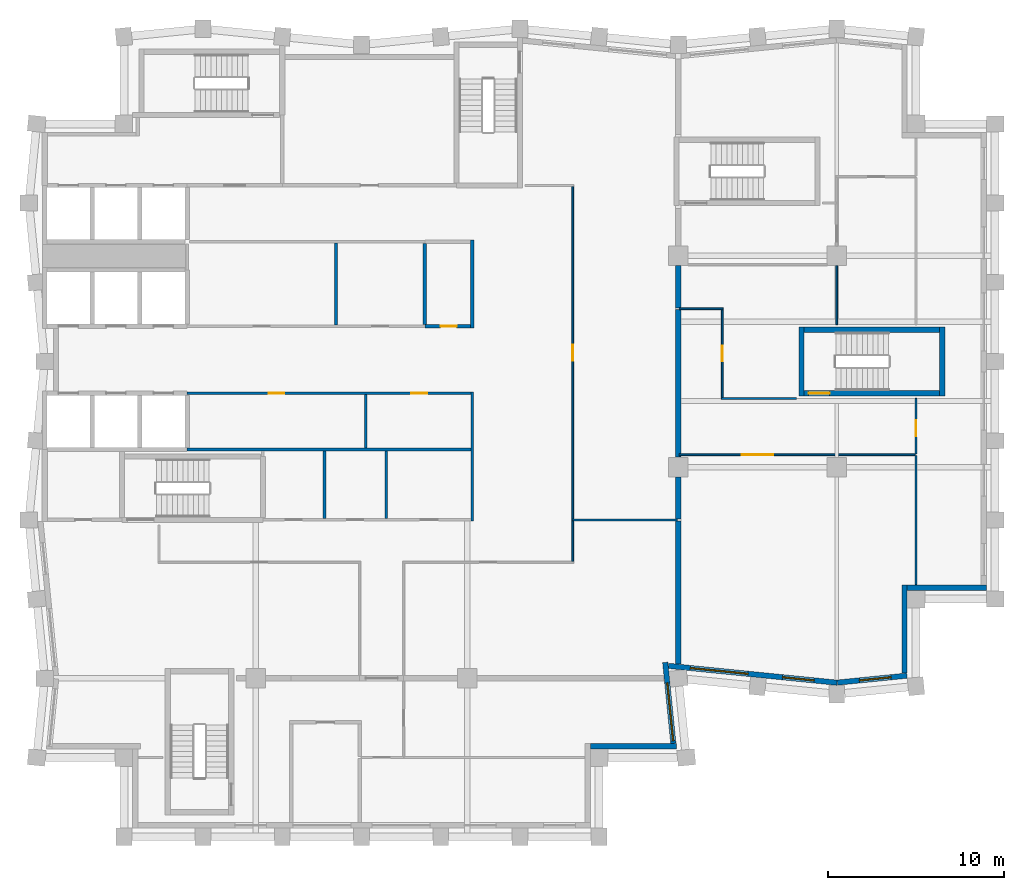
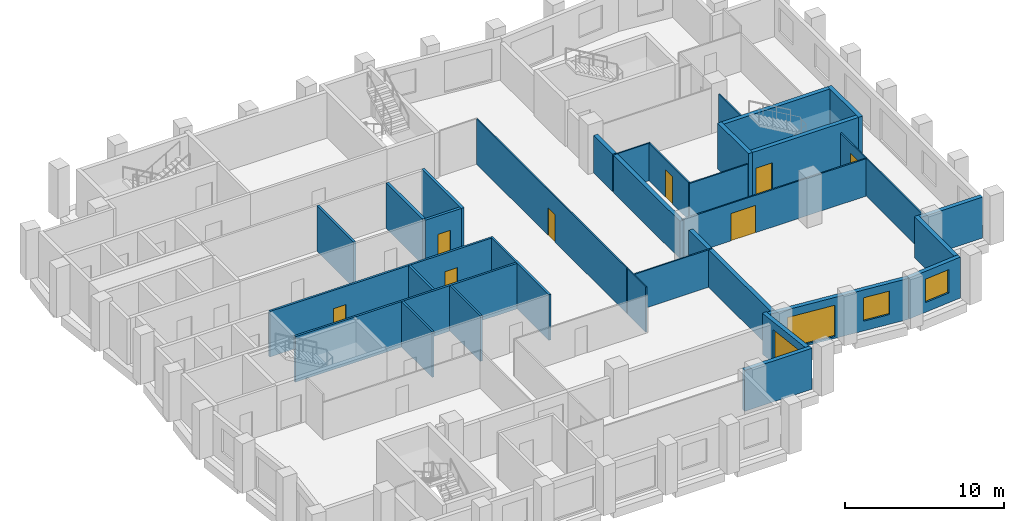
# One storey, part 4 of 8: 34 walls, 8 doors, 4 windows, 12 openings.
"""IFC4 building model written with IfcOpenShell, lengths in metres."""

from ifc_helpers import new_model, si_unit, direction, frame, frame_2d, origin, place, context, subcontext, project, spatial, rectangle, extrude, material, layer, layer_set, type_object, element, fill, save


model = new_model("IFC4")

# Units and contexts
model_context = context("Model", 3, precision=1e-05, world=origin(), true_north=direction((0.0, 1.0)))
body_context = subcontext(model_context, "Body", "Model", "MODEL_VIEW")
ifc_project = project(units=[si_unit("LENGTHUNIT", "METRE"), si_unit("AREAUNIT", "SQUARE_METRE"), si_unit("VOLUMEUNIT", "CUBIC_METRE"), si_unit("PLANEANGLEUNIT", "RADIAN"), si_unit("MASSUNIT", "GRAM", prefix="KILO")], contexts=[model_context])

# Site, building, storey
site_placement = place(None, origin())
site = spatial("IfcSite", under=ifc_project, at=site_placement, CompositionType="ELEMENT")
building_placement = place(site_placement, origin())
building = spatial("IfcBuilding", under=site, at=building_placement, Name="Brondeck Convention Tower", CompositionType="ELEMENT")
storey_placement = place(building_placement, frame((0.0, 0.0, 236.800048828125)))
storey = spatial("IfcBuildingStorey", under=building, at=storey_placement, Name="L58", CompositionType="ELEMENT", Elevation=236.800048828125)

# Walls
ifc_material_1 = material(Name="Concrete compartment wall C30/37", Category="concrete")
ifc_layer_1 = layer(ifc_material_1, 0.300048828125)
ifc_layer_set_1 = layer_set([ifc_layer_1], Name="Compartment wall 300")
wall_type_1 = type_object("IfcWallType", Name="Compartment wall 300", PredefinedType="PARTITIONING", material=ifc_layer_set_1)
wall_1_placement = place(storey_placement, frame((36.0, 27.823974609375, 0.0), z_axis=(0.0, 0.0, 1.0), x_axis=(0.0, 1.0, 0.0)))
element("IfcWall", 1, at=wall_1_placement, inside=storey, type_object=wall_type_1, Name="FLR-L58-W021", PredefinedType="PARTITIONING", context=body_context, shape_type="SweptSolid", body=[
    extrude(rectangle(XDim=8.12109375, YDim=0.300048828125, at=frame_2d((4.060546875, 0.0))), origin(), (0.0, 0.0, 1.0), 2.8798828125),
])
wall_2_placement = place(storey_placement, frame((36.0, 36.044921875, 0.0), z_axis=(0.0, 0.0, 1.0), x_axis=(0.0, 1.0, 0.0)))
element("IfcWall", 2, at=wall_2_placement, inside=storey, type_object=wall_type_1, Name="FLR-L58-W030", PredefinedType="PARTITIONING", context=body_context, shape_type="SweptSolid", body=[
    extrude(rectangle(XDim=2.400146484375, YDim=0.300048828125, at=frame_2d((1.2001953125, 0.0))), origin(), (0.0, 0.0, 1.0), 2.8798828125),
])
wall_3_placement = place(storey_placement, frame((36.0, 39.570068359375, 0.0), z_axis=(0.0, 0.0, 1.0), x_axis=(0.0, 1.0, 0.0)))
element("IfcWall", 3, at=wall_3_placement, inside=storey, type_object=wall_type_1, Name="FLR-L58-W032", PredefinedType="PARTITIONING", context=body_context, shape_type="SweptSolid", body=[
    extrude(rectangle(XDim=8.3798828125, YDim=0.300048828125, at=frame_2d((4.18994140625, 0.0))), origin(), (0.0, 0.0, 1.0), 2.8798828125),
])
wall_4_placement = place(storey_placement, frame((36.0, 48.050048828125, 0.0), z_axis=(0.0, 0.0, 1.0), x_axis=(0.0, 1.0, 0.0)))
element("IfcWall", 4, at=wall_4_placement, inside=storey, type_object=wall_type_1, Name="FLR-L58-W038", PredefinedType="PARTITIONING", context=body_context, shape_type="SweptSolid", body=[
    extrude(rectangle(XDim=2.39501953125, YDim=0.300048828125, at=frame_2d((1.197509765625, 0.0))), origin(), (0.0, 0.0, 1.0), 2.8798828125),
])
ifc_material_2 = material(Name="Concrete C50/60", Category="concrete")
ifc_layer_2 = layer(ifc_material_2, 0.199951171875)
ifc_layer_set_2 = layer_set([ifc_layer_2], Name="Core beam-seat wall 200 Concrete C50/60")
wall_type_2 = type_object("IfcWallType", Name="Core beam-seat wall 200 Concrete C50/60", PredefinedType="SHEAR", material=ifc_layer_set_2)
wall_5_placement = place(storey_placement, frame((24.300048828125, 46.89990234375, 0.0), z_axis=(0.0, 0.0, 1.0), x_axis=(0.0, 1.0, 0.0)))
element("IfcWall", 5, at=wall_5_placement, inside=storey, type_object=wall_type_2, Name="L58 core wall", PredefinedType="SHEAR", context=body_context, shape_type="SweptSolid", body=[
    extrude(rectangle(XDim=5.0, YDim=0.199951171875, at=frame_2d((2.5, 0.0))), origin(), (0.0, 0.0, 1.0), 3.5),
])
ifc_material_3 = material(Name="Fire-rated gypsum board partition")
ifc_layer_3 = layer(ifc_material_3, 0.14990234375)
ifc_layer_set_3 = layer_set([ifc_layer_3], Name="Core partition 150 EI 60")
wall_type_3 = type_object("IfcWallType", Name="Core partition 150 EI 60", PredefinedType="PARTITIONING", material=ifc_layer_set_3)
wall_6_placement = place(storey_placement, frame((8.10009765625, 40.0, 0.0), z_axis=(0.0, 0.0, 1.0), x_axis=(1.0, 0.0, 0.0)))
element("IfcWall", 6, at=wall_6_placement, inside=storey, type_object=wall_type_3, Name="L58 core wall", PredefinedType="PARTITIONING", context=body_context, shape_type="SweptSolid", body=[
    extrude(rectangle(XDim=16.125, YDim=0.14990234375, at=frame_2d((8.0625, 0.0))), origin(), (0.0, 0.0, 1.0), 3.5),
])

# Wall, openings, doors
wall_7_placement = place(storey_placement, frame((8.10009765625, 43.199951171875, 0.0), z_axis=(0.0, 0.0, 1.0), x_axis=(1.0, 0.0, 0.0)))
wall_7 = element("IfcWall", 7, at=wall_7_placement, inside=storey, type_object=wall_type_3, Name="L58 core wall", PredefinedType="PARTITIONING", context=body_context, shape_type="SweptSolid", body=[
    extrude(rectangle(XDim=16.125, YDim=0.14990234375, at=frame_2d((8.0625, 0.0))), origin(), (0.0, 0.0, 1.0), 3.5),
])
opening_1_placement = place(wall_7_placement, frame((4.625, 0.0, 0.0)))
opening_1 = element("IfcOpeningElement", 8, at=opening_1_placement, cuts=wall_7, Name="Opening C31-09", PredefinedType="OPENING", context=body_context, shape_type="SweptSolid", body=[
    extrude(rectangle(XDim=0.89990234375, YDim=2.10009765625, at=frame_2d((0.449951171875, 1.050048828125))), frame((0.0, 0.0849609375, 0.0), z_axis=(0.0, -1.0, 0.0), x_axis=(1.0, 0.0, 0.0)), (0.0, 0.0, 1.0), 0.169921875),
])
opening_2_placement = place(wall_7_placement, frame((12.72509765625, 0.0, 0.0)))
opening_2 = element("IfcOpeningElement", 9, at=opening_2_placement, cuts=wall_7, Name="Opening C31-10", PredefinedType="OPENING", context=body_context, shape_type="SweptSolid", body=[
    extrude(rectangle(XDim=0.89990234375, YDim=2.10009765625, at=frame_2d((0.449951171875, 1.050048828125))), frame((0.0, 0.0849609375, 0.0), z_axis=(0.0, -1.0, 0.0), x_axis=(1.0, 0.0, 0.0)), (0.0, 0.0, 1.0), 0.169921875),
])
ifc_material_4 = material(Name="Steel fire door", Category="steel")
door_type_1 = type_object("IfcDoorType", Name="Room door 900x2100 EI 60", OperationType="NOTDEFINED", PredefinedType="DOOR", material=ifc_material_4)
door_1_placement = place(opening_1_placement, origin())
door_1 = element("IfcDoor", 10, at=door_1_placement, inside=storey, type_object=door_type_1, Name="L58 Room door FZ-S-8.1-1", OperationType="SINGLE_SWING_RIGHT", OverallHeight=2.10009765625, OverallWidth=0.89990234375, PredefinedType="DOOR", context=body_context, shape_type="SweptSolid", body=[
    extrude(rectangle(XDim=0.89990234375, YDim=2.10009765625, at=frame_2d((0.449951171875, 1.050048828125))), frame((0.0, 0.02490234375, 0.0), z_axis=(0.0, -1.0, 0.0), x_axis=(1.0, 0.0, 0.0)), (0.0, 0.0, 1.0), 0.050048828125),
])
fill(opening_1, door_1)
door_2_placement = place(opening_2_placement, origin())
door_2 = element("IfcDoor", 11, at=door_2_placement, inside=storey, type_object=door_type_1, Name="L58 Room door FZ-S-8.1-2", OperationType="SINGLE_SWING_LEFT", OverallHeight=2.10009765625, OverallWidth=0.89990234375, PredefinedType="DOOR", context=body_context, shape_type="SweptSolid", body=[
    extrude(rectangle(XDim=0.89990234375, YDim=2.10009765625, at=frame_2d((0.449951171875, 1.050048828125))), frame((0.0, 0.02490234375, 0.0), z_axis=(0.0, -1.0, 0.0), x_axis=(1.0, 0.0, 0.0)), (0.0, 0.0, 1.0), 0.050048828125),
])
fill(opening_2, door_2)

# Walls
wall_8_placement = place(storey_placement, frame((15.89990234375, 36.074951171875, 0.0), z_axis=(0.0, 0.0, 1.0), x_axis=(0.0, 1.0, 0.0)))
element("IfcWall", 12, at=wall_8_placement, inside=storey, type_object=wall_type_3, Name="L58 core wall", PredefinedType="PARTITIONING", context=body_context, shape_type="SweptSolid", body=[
    extrude(rectangle(XDim=3.85009765625, YDim=0.14990234375, at=frame_2d((1.925048828125, 0.0))), origin(), (0.0, 0.0, 1.0), 3.5),
])
wall_9_placement = place(storey_placement, frame((16.550048828125, 47.074951171875, 0.0), z_axis=(0.0, 0.0, 1.0), x_axis=(0.0, 1.0, 0.0)))
element("IfcWall", 13, at=wall_9_placement, inside=storey, type_object=wall_type_3, Name="L58 core wall", PredefinedType="PARTITIONING", context=body_context, shape_type="SweptSolid", body=[
    extrude(rectangle(XDim=4.650146484375, YDim=0.14990234375, at=frame_2d((2.3251953125, 0.0))), origin(), (0.0, 0.0, 1.0), 3.5),
])
wall_10_placement = place(storey_placement, frame((18.25, 40.074951171875, 0.0), z_axis=(0.0, 0.0, 1.0), x_axis=(0.0, 1.0, 0.0)))
element("IfcWall", 14, at=wall_10_placement, inside=storey, type_object=wall_type_3, Name="L58 core wall", PredefinedType="PARTITIONING", context=body_context, shape_type="SweptSolid", body=[
    extrude(rectangle(XDim=3.050048828125, YDim=0.14990234375, at=frame_2d((1.52490234375, 0.0))), origin(), (0.0, 0.0, 1.0), 3.5),
])
wall_11_placement = place(storey_placement, frame((19.39990234375, 36.074951171875, 0.0), z_axis=(0.0, 0.0, 1.0), x_axis=(0.0, 1.0, 0.0)))
element("IfcWall", 15, at=wall_11_placement, inside=storey, type_object=wall_type_3, Name="L58 core wall", PredefinedType="PARTITIONING", context=body_context, shape_type="SweptSolid", body=[
    extrude(rectangle(XDim=3.85009765625, YDim=0.14990234375, at=frame_2d((1.925048828125, 0.0))), origin(), (0.0, 0.0, 1.0), 3.5),
])
wall_12_placement = place(storey_placement, frame((24.300048828125, 35.925048828125, 0.0), z_axis=(0.0, 0.0, 1.0), x_axis=(0.0, 1.0, 0.0)))
element("IfcWall", 16, at=wall_12_placement, inside=storey, type_object=wall_type_3, Name="L58 core wall", PredefinedType="PARTITIONING", context=body_context, shape_type="SweptSolid", body=[
    extrude(rectangle(XDim=7.349853515625, YDim=0.14990234375, at=frame_2d((3.6748046875, 0.0))), origin(), (0.0, 0.0, 1.0), 3.5),
])
ifc_material_5 = material(Name="Precast concrete C50/60 bronze finish", Category="concrete")
ifc_layer_4 = layer(ifc_material_5, 0.070068359375, Name="Bronze precast facing")
ifc_material_6 = material(Name="Mineral wool")
ifc_layer_5 = layer(ifc_material_6, 0.159912109375, Name="Insulation")
ifc_material_7 = material(Name="Concrete C35/45", Category="concrete")
ifc_layer_6 = layer(ifc_material_7, 0.070068359375, Name="Backing")
ifc_layer_set_4 = layer_set([ifc_layer_4, ifc_layer_5, ifc_layer_6], Name="External infill wall, precast concrete C50/60 bronze facing")
wall_type_4 = type_object("IfcWallType", Name="External infill wall, precast concrete C50/60 bronze facing", PredefinedType="SOLIDWALL", material=ifc_layer_set_4)
wall_13_placement = place(storey_placement, frame((35.8974609375, 23.14990234375, 0.0), z_axis=(0.0, 0.0, 1.0), x_axis=(-1.0, 0.0, 0.0)))
element("IfcWall", 17, at=wall_13_placement, inside=storey, type_object=wall_type_4, Name="ENV-EW-L58-P2-NC-SEB18-02", PredefinedType="SOLIDWALL", context=body_context, shape_type="SweptSolid", body=[
    extrude(rectangle(XDim=4.8974609375, YDim=0.300048828125, at=frame_2d((2.44873046875, 0.0))), origin(), (0.0, 0.0, 1.0), 3.14990234375),
])

# Wall, opening, window
wall_14_placement = place(storey_placement, frame((35.255859375, 27.908203125, 0.0), z_axis=(0.0, 0.0, 1.0), x_axis=(0.099535070904, -0.995034054523, 0.0)))
wall_14 = element("IfcWall", 18, at=wall_14_placement, inside=storey, type_object=wall_type_4, Name="ENV-EW-L58-P2-B-E-00", PredefinedType="SOLIDWALL", context=body_context, shape_type="SweptSolid", body=[
    extrude(rectangle(XDim=4.6259765625, YDim=0.300048828125, at=frame_2d((2.31298828125, 0.0))), origin(), (0.0, 0.0, 1.0), 3.14990234375),
])
opening_3_placement = place(wall_14_placement, frame((1.176025390625, 0.0, 0.14990234375)))
opening_3 = element("IfcOpeningElement", 19, at=opening_3_placement, cuts=wall_14, Name="Opening W9", PredefinedType="OPENING", context=body_context, shape_type="SweptSolid", body=[
    extrude(rectangle(XDim=3.300048828125, YDim=2.39990234375, at=frame_2d((1.64990234375, 1.199951171875))), frame((0.0, 0.159912109375, 0.0), z_axis=(0.0, -1.0, 0.0), x_axis=(1.0, 0.0, 0.0)), (0.0, 0.0, 1.0), 0.320068359375),
])
ifc_material_8 = material(Name="Bronze tinted double glazing", Category="glass")
window_type_1 = type_object("IfcWindowType", Name="Glazed flute window, bronze tinted", PartitioningType="SINGLE_PANEL", PredefinedType="WINDOW", material=ifc_material_8)
window_1_placement = place(opening_3_placement, origin())
window_1 = element("IfcWindow", 20, at=window_1_placement, inside=storey, type_object=window_type_1, Name="ENV-WN-L58-P2-B-E-00", OverallHeight=2.39990234375, OverallWidth=3.300048828125, PartitioningType="SINGLE_PANEL", PredefinedType="WINDOW", context=body_context, shape_type="SweptSolid", body=[
    extrude(rectangle(XDim=3.300048828125, YDim=2.39990234375, at=frame_2d((1.64990234375, 1.199951171875))), frame((0.0, 0.030029296875, 0.0), z_axis=(0.0, -1.0, 0.0), x_axis=(1.0, 0.0, 0.0)), (0.0, 0.0, 1.0), 0.06005859375),
])
fill(opening_3, window_1)

# Wall, openings, windows
wall_15_placement = place(storey_placement, frame((45.014892578125, 26.751708984375, 0.0), z_axis=(0.0, 0.0, 1.0), x_axis=(-0.9950379439, 0.099496181828, 0.0)))
wall_15 = element("IfcWall", 21, at=wall_15_placement, inside=storey, type_object=wall_type_4, Name="ENV-EW-L58-P2-A-S-00", PredefinedType="SOLIDWALL", context=body_context, shape_type="SweptSolid", body=[
    extrude(rectangle(XDim=9.621337890625, YDim=0.300048828125, at=frame_2d((4.810546875, 0.0))), origin(), (0.0, 0.0, 1.0), 3.14990234375),
])
opening_4_placement = place(wall_15_placement, frame((1.311279296875, 0.0, 0.75)))
opening_4 = element("IfcOpeningElement", 22, at=opening_4_placement, cuts=wall_15, Name="Opening W10", PredefinedType="OPENING", context=body_context, shape_type="SweptSolid", body=[
    extrude(rectangle(XDim=1.800048828125, YDim=1.800048828125, at=frame_2d((0.89990234375, 0.89990234375))), frame((0.0, 0.159912109375, 0.0), z_axis=(0.0, -1.0, 0.0), x_axis=(1.0, 0.0, 0.0)), (0.0, 0.0, 1.0), 0.320068359375),
])
opening_5_placement = place(wall_15_placement, frame((5.08349609375, 0.0, 0.14990234375)))
opening_5 = element("IfcOpeningElement", 23, at=opening_5_placement, cuts=wall_15, Name="Opening W9", PredefinedType="OPENING", context=body_context, shape_type="SweptSolid", body=[
    extrude(rectangle(XDim=3.300048828125, YDim=2.39990234375, at=frame_2d((1.64990234375, 1.199951171875))), frame((0.0, 0.159912109375, 0.0), z_axis=(0.0, -1.0, 0.0), x_axis=(1.0, 0.0, 0.0)), (0.0, 0.0, 1.0), 0.320068359375),
])
window_2_placement = place(opening_5_placement, origin())
window_2 = element("IfcWindow", 24, at=window_2_placement, inside=storey, type_object=window_type_1, Name="ENV-WN-L58-P2-A-S-00", OverallHeight=2.39990234375, OverallWidth=3.300048828125, PartitioningType="SINGLE_PANEL", PredefinedType="WINDOW", context=body_context, shape_type="SweptSolid", body=[
    extrude(rectangle(XDim=3.300048828125, YDim=2.39990234375, at=frame_2d((1.64990234375, 1.199951171875))), frame((0.0, 0.030029296875, 0.0), z_axis=(0.0, -1.0, 0.0), x_axis=(1.0, 0.0, 0.0)), (0.0, 0.0, 1.0), 0.06005859375),
])
fill(opening_5, window_2)
window_type_2 = type_object("IfcWindowType", Name="Punched window, bronze tinted", PartitioningType="SINGLE_PANEL", PredefinedType="WINDOW", material=ifc_material_8)
window_3_placement = place(opening_4_placement, origin())
window_3 = element("IfcWindow", 25, at=window_3_placement, inside=storey, type_object=window_type_2, Name="ENV-WN-L58-P2-A-S-01", OverallHeight=1.800048828125, OverallWidth=1.800048828125, PartitioningType="SINGLE_PANEL", PredefinedType="WINDOW", context=body_context, shape_type="SweptSolid", body=[
    extrude(rectangle(XDim=1.800048828125, YDim=1.800048828125, at=frame_2d((0.89990234375, 0.89990234375))), frame((0.0, 0.030029296875, 0.0), z_axis=(0.0, -1.0, 0.0), x_axis=(1.0, 0.0, 0.0)), (0.0, 0.0, 1.0), 0.06005859375),
])
fill(opening_4, window_3)

# Wall, opening, window
wall_16_placement = place(storey_placement, frame((48.985107421875, 27.151611328125, 0.0), z_axis=(0.0, 0.0, 1.0), x_axis=(-0.995037798293, -0.099497638, 0.0)))
wall_16 = element("IfcWall", 26, at=wall_16_placement, inside=storey, type_object=wall_type_4, Name="ENV-EW-L58-P2-A-S-02", PredefinedType="SOLIDWALL", context=body_context, shape_type="SweptSolid", body=[
    extrude(rectangle(XDim=3.97509765625, YDim=0.300048828125, at=frame_2d((1.987548828125, 0.0))), origin(), (0.0, 0.0, 1.0), 3.14990234375),
])
opening_6_placement = place(wall_16_placement, frame((0.90869140625, 0.0, 0.75)))
opening_6 = element("IfcOpeningElement", 27, at=opening_6_placement, cuts=wall_16, Name="Opening W10", PredefinedType="OPENING", context=body_context, shape_type="SweptSolid", body=[
    extrude(rectangle(XDim=1.800048828125, YDim=1.800048828125, at=frame_2d((0.89990234375, 0.89990234375))), frame((0.0, 0.159912109375, 0.0), z_axis=(0.0, -1.0, 0.0), x_axis=(1.0, 0.0, 0.0)), (0.0, 0.0, 1.0), 0.320068359375),
])
window_4_placement = place(opening_6_placement, origin())
window_4 = element("IfcWindow", 28, at=window_4_placement, inside=storey, type_object=window_type_2, Name="ENV-WN-L58-P2-A-S-02", OverallHeight=1.800048828125, OverallWidth=1.800048828125, PartitioningType="SINGLE_PANEL", PredefinedType="WINDOW", context=body_context, shape_type="SweptSolid", body=[
    extrude(rectangle(XDim=1.800048828125, YDim=1.800048828125, at=frame_2d((0.89990234375, 0.89990234375))), frame((0.0, 0.030029296875, 0.0), z_axis=(0.0, -1.0, 0.0), x_axis=(1.0, 0.0, 0.0)), (0.0, 0.0, 1.0), 0.06005859375),
])
fill(opening_6, window_4)

# Walls
wall_17_placement = place(storey_placement, frame((48.85009765625, 32.300048828125, 0.0), z_axis=(0.0, 0.0, 1.0), x_axis=(0.0, -1.0, 0.0)))
element("IfcWall", 29, at=wall_17_placement, inside=storey, type_object=wall_type_4, Name="ENV-EW-L58-P2-NC-SEA54-01", PredefinedType="SOLIDWALL", context=body_context, shape_type="SweptSolid", body=[
    extrude(rectangle(XDim=5.009765625, YDim=0.300048828125, at=frame_2d((2.5048828125, 0.0))), origin(), (0.0, 0.0, 1.0), 3.14990234375),
])
wall_18_placement = place(storey_placement, frame((53.5, 32.14990234375, 0.0), z_axis=(0.0, 0.0, 1.0), x_axis=(-1.0, 0.0, 0.0)))
element("IfcWall", 30, at=wall_18_placement, inside=storey, type_object=wall_type_4, Name="ENV-EW-L58-P2-NC-SEA54-02", PredefinedType="SOLIDWALL", context=body_context, shape_type="SweptSolid", body=[
    extrude(rectangle(XDim=4.501953125, YDim=0.300048828125, at=frame_2d((2.2509765625, 0.0))), origin(), (0.0, 0.0, 1.0), 3.14990234375),
])

# Wall, opening, door
ifc_layer_7 = layer(ifc_material_3, 0.199951171875)
ifc_layer_set_5 = layer_set([ifc_layer_7], Name="Riser wall 200 EI 120")
wall_type_5 = type_object("IfcWallType", Name="Riser wall 200 EI 120", PredefinedType="PARTITIONING", material=ifc_layer_set_5)
wall_19_placement = place(storey_placement, frame((21.60009765625, 47.0, 0.0), z_axis=(0.0, 0.0, 1.0), x_axis=(1.0, 0.0, 0.0)))
wall_19 = element("IfcWall", 31, at=wall_19_placement, inside=storey, type_object=wall_type_5, Name="L58 core wall", PredefinedType="PARTITIONING", context=body_context, shape_type="SweptSolid", body=[
    extrude(rectangle(XDim=2.599853515625, YDim=0.199951171875, at=frame_2d((1.2998046875, 0.0))), origin(), (0.0, 0.0, 1.0), 3.5),
])
opening_7_placement = place(wall_19_placement, frame((0.89990234375, 0.0, 0.0)))
opening_7 = element("IfcOpeningElement", 32, at=opening_7_placement, cuts=wall_19, Name="Opening C31-02", PredefinedType="OPENING", context=body_context, shape_type="SweptSolid", body=[
    extrude(rectangle(XDim=0.89990234375, YDim=2.10009765625, at=frame_2d((0.449951171875, 1.050048828125))), frame((0.0, 0.10986328125, 0.0), z_axis=(0.0, -1.0, 0.0), x_axis=(1.0, 0.0, 0.0)), (0.0, 0.0, 1.0), 0.219970703125),
])
door_type_2 = type_object("IfcDoorType", Name="Riser door 900x2100 EI 120", OperationType="NOTDEFINED", PredefinedType="DOOR", material=ifc_material_4)
door_3_placement = place(opening_7_placement, origin())
door_3 = element("IfcDoor", 33, at=door_3_placement, inside=storey, type_object=door_type_2, Name="L58 Riser door EN-1", OperationType="SINGLE_SWING_LEFT", OverallHeight=2.10009765625, OverallWidth=0.89990234375, PredefinedType="DOOR", context=body_context, shape_type="SweptSolid", body=[
    extrude(rectangle(XDim=0.89990234375, YDim=2.10009765625, at=frame_2d((0.449951171875, 1.050048828125))), frame((0.0, 0.02490234375, 0.0), z_axis=(0.0, -1.0, 0.0), x_axis=(1.0, 0.0, 0.0)), (0.0, 0.0, 1.0), 0.050048828125),
])
fill(opening_7, door_3)

# Walls
wall_20_placement = place(storey_placement, frame((21.60009765625, 47.10009765625, 0.0), z_axis=(0.0, 0.0, 1.0), x_axis=(0.0, 1.0, 0.0)))
element("IfcWall", 34, at=wall_20_placement, inside=storey, type_object=wall_type_5, Name="L58 core wall", PredefinedType="PARTITIONING", context=body_context, shape_type="SweptSolid", body=[
    extrude(rectangle(XDim=4.599853515625, YDim=0.199951171875, at=frame_2d((2.2998046875, 0.0))), origin(), (0.0, 0.0, 1.0), 3.5),
])
ifc_material_9 = material(Name="Gypsum board partition on steel studs", Category="steel")
ifc_layer_8 = layer(ifc_material_9, 0.10009765625)
ifc_layer_set_6 = layer_set([ifc_layer_8], Name="Room partition 100")
wall_type_6 = type_object("IfcWallType", Name="Room partition 100", PredefinedType="PARTITIONING", material=ifc_layer_set_6)
wall_21_placement = place(storey_placement, frame((49.5, 32.320068359375, 0.0), z_axis=(0.0, 0.0, 1.0), x_axis=(0.0, 1.0, 0.0)))
element("IfcWall", 35, at=wall_21_placement, inside=storey, type_object=wall_type_6, Name="FLR-L58-W023", PredefinedType="PARTITIONING", context=body_context, shape_type="SweptSolid", body=[
    extrude(rectangle(XDim=7.329833984375, YDim=0.10009765625, at=frame_2d((3.6650390625, 0.0))), origin(), (0.0, 0.0, 1.0), 2.8798828125),
])
wall_22_placement = place(storey_placement, frame((30.0, 35.945068359375, 0.0), z_axis=(0.0, 0.0, 1.0), x_axis=(0.0, -1.0, 0.0)))
element("IfcWall", 36, at=wall_22_placement, inside=storey, type_object=wall_type_6, Name="FLR-L58-W028", PredefinedType="PARTITIONING", context=body_context, shape_type="SweptSolid", body=[
    extrude(rectangle(XDim=2.295166015625, YDim=0.10009765625, at=frame_2d((1.1474609375, 0.0))), origin(), (0.0, 0.0, 1.0), 3.47998046875),
])
wall_23_placement = place(storey_placement, frame((29.949951171875, 35.9951171875, 0.0), z_axis=(0.0, 0.0, 1.0), x_axis=(1.0, 0.0, 0.0)))
element("IfcWall", 37, at=wall_23_placement, inside=storey, type_object=wall_type_6, Name="FLR-L58-W029", PredefinedType="PARTITIONING", context=body_context, shape_type="SweptSolid", body=[
    extrude(rectangle(XDim=6.0, YDim=0.10009765625, at=frame_2d((3.0, 0.0))), origin(), (0.0, 0.0, 1.0), 2.8798828125),
])

# Wall, opening, door
wall_24_placement = place(storey_placement, frame((49.449951171875, 39.699951171875, 0.0), z_axis=(0.0, 0.0, 1.0), x_axis=(-1.0, 0.0, 0.0)))
wall_24 = element("IfcWall", 38, at=wall_24_placement, inside=storey, type_object=wall_type_6, Name="FLR-L58-W031", PredefinedType="PARTITIONING", context=body_context, shape_type="SweptSolid", body=[
    extrude(rectangle(XDim=13.39990234375, YDim=0.10009765625, at=frame_2d((6.699951171875, 0.0))), origin(), (0.0, 0.0, 1.0), 2.8798828125),
])
opening_8_placement = place(wall_24_placement, frame((8.050048828125, 0.0, 0.0)))
opening_8 = element("IfcOpeningElement", 39, at=opening_8_placement, cuts=wall_24, Name="Opening OF-N-004", PredefinedType="OPENING", context=body_context, shape_type="SweptSolid", body=[
    extrude(rectangle(XDim=1.800048828125, YDim=2.10009765625, at=frame_2d((0.89990234375, 1.050048828125))), frame((0.0, 0.06005859375, 0.0), z_axis=(0.0, -1.0, 0.0), x_axis=(1.0, 0.0, 0.0)), (0.0, 0.0, 1.0), 0.1201171875),
])
ifc_material_10 = material(Name="Glazed timber double door", Category="wood")
door_type_3 = type_object("IfcDoorType", Name="Double door 1800", OperationType="DOUBLE_DOOR_SINGLE_SWING", PredefinedType="DOOR", material=ifc_material_10)
door_4_placement = place(opening_8_placement, origin())
door_4 = element("IfcDoor", 40, at=door_4_placement, inside=storey, type_object=door_type_3, Name="Door OF-N-004", OperationType="DOUBLE_DOOR_SINGLE_SWING", OverallHeight=2.10009765625, OverallWidth=1.800048828125, PredefinedType="DOOR", context=body_context, shape_type="SweptSolid", body=[
    extrude(rectangle(XDim=1.800048828125, YDim=2.10009765625, at=frame_2d((0.89990234375, 1.050048828125))), frame((0.0, 0.02490234375, 0.0), z_axis=(0.0, -1.0, 0.0), x_axis=(1.0, 0.0, 0.0)), (0.0, 0.0, 1.0), 0.050048828125),
])
fill(opening_8, door_4)

# Wall
wall_25_placement = place(storey_placement, frame((38.449951171875, 42.89990234375, 0.0), z_axis=(0.0, 0.0, 1.0), x_axis=(1.0, 0.0, 0.0)))
element("IfcWall", 41, at=wall_25_placement, inside=storey, type_object=wall_type_6, Name="FLR-L58-W033", PredefinedType="PARTITIONING", context=body_context, shape_type="SweptSolid", body=[
    extrude(rectangle(XDim=4.25, YDim=0.10009765625, at=frame_2d((2.125, 0.0))), origin(), (0.0, 0.0, 1.0), 2.8798828125),
])

# Wall, opening, door
wall_26_placement = place(storey_placement, frame((49.5, 42.89990234375, 0.0), z_axis=(0.0, 0.0, 1.0), x_axis=(0.0, -1.0, 0.0)))
wall_26 = element("IfcWall", 42, at=wall_26_placement, inside=storey, type_object=wall_type_6, Name="FLR-L58-W034", PredefinedType="PARTITIONING", context=body_context, shape_type="SweptSolid", body=[
    extrude(rectangle(XDim=3.14990234375, YDim=0.10009765625, at=frame_2d((1.574951171875, 0.0))), origin(), (0.0, 0.0, 1.0), 2.8798828125),
])
opening_9_placement = place(wall_26_placement, frame((1.25, 0.0, 0.0)))
opening_9 = element("IfcOpeningElement", 43, at=opening_9_placement, cuts=wall_26, Name="Opening OF-N-003", PredefinedType="OPENING", context=body_context, shape_type="SweptSolid", body=[
    extrude(rectangle(XDim=0.89990234375, YDim=2.10009765625, at=frame_2d((0.449951171875, 1.050048828125))), frame((0.0, 0.06005859375, 0.0), z_axis=(0.0, -1.0, 0.0), x_axis=(1.0, 0.0, 0.0)), (0.0, 0.0, 1.0), 0.1201171875),
])
ifc_material_11 = material(Name="Solid timber door leaf", Category="wood")
door_type_4 = type_object("IfcDoorType", Name="Single door 900", OperationType="NOTDEFINED", PredefinedType="DOOR", material=ifc_material_11)
door_5_placement = place(opening_9_placement, origin())
door_5 = element("IfcDoor", 44, at=door_5_placement, inside=storey, type_object=door_type_4, Name="Door OF-N-003", OperationType="SINGLE_SWING_LEFT", OverallHeight=2.10009765625, OverallWidth=0.89990234375, PredefinedType="DOOR", context=body_context, shape_type="SweptSolid", body=[
    extrude(rectangle(XDim=0.89990234375, YDim=2.10009765625, at=frame_2d((0.449951171875, 1.050048828125))), frame((0.0, 0.02490234375, 0.0), z_axis=(0.0, -1.0, 0.0), x_axis=(1.0, 0.0, 0.0)), (0.0, 0.0, 1.0), 0.050048828125),
])
fill(opening_9, door_5)

wall_27_placement = place(storey_placement, frame((38.5, 47.949951171875, 0.0), z_axis=(0.0, 0.0, 1.0), x_axis=(0.0, -1.0, 0.0)))
wall_27 = element("IfcWall", 45, at=wall_27_placement, inside=storey, type_object=wall_type_6, Name="FLR-L58-W036", PredefinedType="PARTITIONING", context=body_context, shape_type="SweptSolid", body=[
    extrude(rectangle(XDim=5.0, YDim=0.10009765625, at=frame_2d((2.5, 0.0))), origin(), (0.0, 0.0, 1.0), 2.8798828125),
])
opening_10_placement = place(wall_27_placement, frame((2.050048828125, 0.0, 0.0)))
opening_10 = element("IfcOpeningElement", 46, at=opening_10_placement, cuts=wall_27, Name="Opening OF-N-001", PredefinedType="OPENING", context=body_context, shape_type="SweptSolid", body=[
    extrude(rectangle(XDim=0.89990234375, YDim=2.10009765625, at=frame_2d((0.449951171875, 1.050048828125))), frame((0.0, 0.06005859375, 0.0), z_axis=(0.0, -1.0, 0.0), x_axis=(1.0, 0.0, 0.0)), (0.0, 0.0, 1.0), 0.1201171875),
])
door_6_placement = place(opening_10_placement, origin())
door_6 = element("IfcDoor", 47, at=door_6_placement, inside=storey, type_object=door_type_4, Name="Door OF-N-001", OperationType="SINGLE_SWING_RIGHT", OverallHeight=2.10009765625, OverallWidth=0.89990234375, PredefinedType="DOOR", context=body_context, shape_type="SweptSolid", body=[
    extrude(rectangle(XDim=0.89990234375, YDim=2.10009765625, at=frame_2d((0.449951171875, 1.050048828125))), frame((0.0, 0.02490234375, 0.0), z_axis=(0.0, -1.0, 0.0), x_axis=(1.0, 0.0, 0.0)), (0.0, 0.0, 1.0), 0.050048828125),
])
fill(opening_10, door_6)

# Walls
wall_28_placement = place(storey_placement, frame((36.050048828125, 48.0, 0.0), z_axis=(0.0, 0.0, 1.0), x_axis=(1.0, 0.0, 0.0)))
element("IfcWall", 48, at=wall_28_placement, inside=storey, type_object=wall_type_6, Name="FLR-L58-W037", PredefinedType="PARTITIONING", context=body_context, shape_type="SweptSolid", body=[
    extrude(rectangle(XDim=2.5, YDim=0.10009765625, at=frame_2d((1.25, 0.0))), origin(), (0.0, 0.0, 1.0), 2.8798828125),
])
wall_29_placement = place(storey_placement, frame((45.0, 50.445068359375, 0.0), z_axis=(0.0, 0.0, 1.0), x_axis=(0.0, -1.0, 0.0)))
element("IfcWall", 49, at=wall_29_placement, inside=storey, type_object=wall_type_6, Name="FLR-L58-W039", PredefinedType="PARTITIONING", context=body_context, shape_type="SweptSolid", body=[
    extrude(rectangle(XDim=3.344970703125, YDim=0.10009765625, at=frame_2d((1.67236328125, 0.0))), origin(), (0.0, 0.0, 1.0), 2.8798828125),
])

# Wall, opening, door
wall_30_placement = place(storey_placement, frame((30.0, 54.949951171875, 0.0), z_axis=(0.0, 0.0, 1.0), x_axis=(0.0, -1.0, 0.0)))
wall_30 = element("IfcWall", 50, at=wall_30_placement, inside=storey, type_object=wall_type_6, Name="FLR-L58-W045", PredefinedType="PARTITIONING", context=body_context, shape_type="SweptSolid", body=[
    extrude(rectangle(XDim=18.889892578125, YDim=0.10009765625, at=frame_2d((9.44482421875, 0.0))), origin(), (0.0, 0.0, 1.0), 3.47998046875),
])
opening_11_placement = place(wall_30_placement, frame((9.0, 0.0, 0.0)))
opening_11 = element("IfcOpeningElement", 51, at=opening_11_placement, cuts=wall_30, Name="Opening OF-N-011", PredefinedType="OPENING", context=body_context, shape_type="SweptSolid", body=[
    extrude(rectangle(XDim=0.89990234375, YDim=2.10009765625, at=frame_2d((0.449951171875, 1.050048828125))), frame((0.0, 0.06005859375, 0.0), z_axis=(0.0, -1.0, 0.0), x_axis=(1.0, 0.0, 0.0)), (0.0, 0.0, 1.0), 0.1201171875),
])
door_7_placement = place(opening_11_placement, origin())
door_7 = element("IfcDoor", 52, at=door_7_placement, inside=storey, type_object=door_type_4, Name="Door OF-N-011", OperationType="SINGLE_SWING_LEFT", OverallHeight=2.10009765625, OverallWidth=0.89990234375, PredefinedType="DOOR", context=body_context, shape_type="SweptSolid", body=[
    extrude(rectangle(XDim=0.89990234375, YDim=2.10009765625, at=frame_2d((0.449951171875, 1.050048828125))), frame((0.0, 0.02490234375, 0.0), z_axis=(0.0, -1.0, 0.0), x_axis=(1.0, 0.0, 0.0)), (0.0, 0.0, 1.0), 0.050048828125),
])
fill(opening_11, door_7)

ifc_layer_9 = layer(ifc_material_2, 0.300048828125)
ifc_layer_set_7 = layer_set([ifc_layer_9], Name="Stair enclosure wall 300 Concrete C50/60")
wall_type_7 = type_object("IfcWallType", Name="Stair enclosure wall 300 Concrete C50/60", PredefinedType="SHEAR", material=ifc_layer_set_7)
wall_31_placement = place(storey_placement, frame((43.14990234375, 43.199951171875, 0.0), z_axis=(0.0, 0.0, 1.0), x_axis=(1.0, 0.0, 0.0)))
wall_31 = element("IfcWall", 53, at=wall_31_placement, inside=storey, type_object=wall_type_7, Name="L58 core wall", PredefinedType="SHEAR", context=body_context, shape_type="SweptSolid", body=[
    extrude(rectangle(XDim=7.7001953125, YDim=0.300048828125, at=frame_2d((3.85009765625, 0.0))), origin(), (0.0, 0.0, 1.0), 3.5),
])
opening_12_placement = place(wall_31_placement, frame((0.25, 0.0, 0.0)))
opening_12 = element("IfcOpeningElement", 54, at=opening_12_placement, cuts=wall_31, Name="Opening C31-16", PredefinedType="OPENING", context=body_context, shape_type="SweptSolid", body=[
    extrude(rectangle(XDim=1.199951171875, YDim=2.199951171875, at=frame_2d((0.60009765625, 1.10009765625))), frame((0.0, 0.159912109375, 0.0), z_axis=(0.0, -1.0, 0.0), x_axis=(1.0, 0.0, 0.0)), (0.0, 0.0, 1.0), 0.320068359375),
])
door_type_5 = type_object("IfcDoorType", Name="Stair door 1200x2200 EI 90", OperationType="NOTDEFINED", PredefinedType="DOOR", material=ifc_material_4)
door_8_placement = place(opening_12_placement, origin())
door_8 = element("IfcDoor", 55, at=door_8_placement, inside=storey, type_object=door_type_5, Name="L58 Stair door ST-AF", OperationType="SINGLE_SWING_RIGHT", OverallHeight=2.199951171875, OverallWidth=1.199951171875, PredefinedType="DOOR", context=body_context, shape_type="SweptSolid", body=[
    extrude(rectangle(XDim=1.199951171875, YDim=2.199951171875, at=frame_2d((0.60009765625, 1.10009765625))), frame((0.0, 0.02490234375, 0.0), z_axis=(0.0, -1.0, 0.0), x_axis=(1.0, 0.0, 0.0)), (0.0, 0.0, 1.0), 0.050048828125),
])
fill(opening_12, door_8)

# Walls
wall_32_placement = place(storey_placement, frame((43.14990234375, 46.800048828125, 0.0), z_axis=(0.0, 0.0, 1.0), x_axis=(1.0, 0.0, 0.0)))
element("IfcWall", 56, at=wall_32_placement, inside=storey, type_object=wall_type_7, Name="L58 core wall", PredefinedType="SHEAR", context=body_context, shape_type="SweptSolid", body=[
    extrude(rectangle(XDim=7.7001953125, YDim=0.300048828125, at=frame_2d((3.85009765625, 0.0))), origin(), (0.0, 0.0, 1.0), 3.5),
])
for number, where, z_axis, x_axis, name in (
    (57, (43.0, 43.050048828125, 0.0), (0.0, 0.0, 1.0), (0.0, 1.0, 0.0), "L58 core wall"),
    (58, (51.0, 43.050048828125, 0.0), (0.0, 0.0, 1.0), (0.0, 1.0, 0.0), "L58 core wall"),
):
    element("IfcWall", number, at=place(storey_placement, frame(where, z_axis=z_axis, x_axis=x_axis)), inside=storey, type_object=wall_type_7, Name=name, PredefinedType="SHEAR", context=body_context, shape_type="SweptSolid", body=[
        extrude(rectangle(XDim=3.89990234375, YDim=0.300048828125, at=frame_2d((1.949951171875, 0.0))), origin(), (0.0, 0.0, 1.0), 3.5),
    ])

save(model, "model.ifc")
